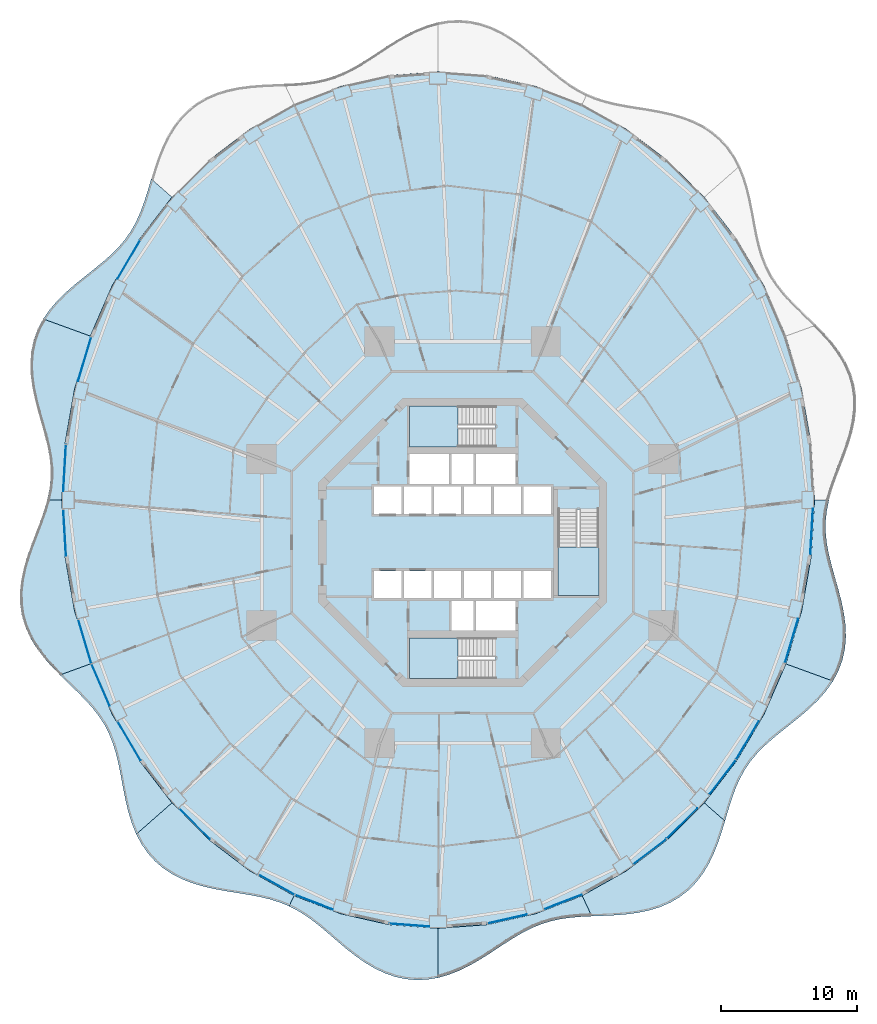
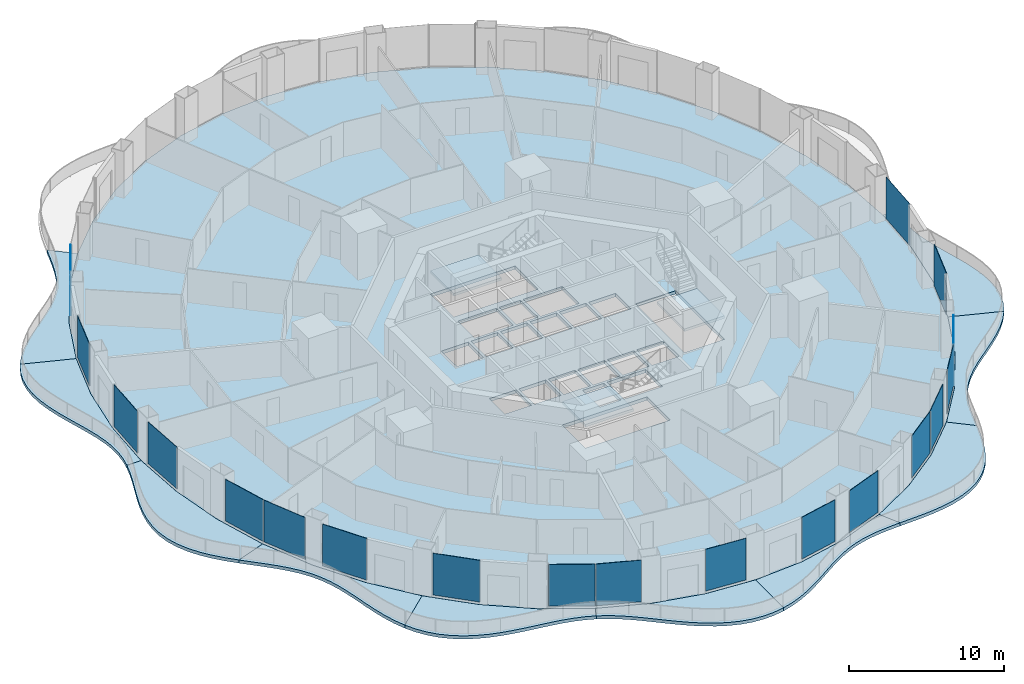
# One storey, part 12 of 22: 19 plates, 14 slabs, 22 elements without a shape of their own.
"""IFC4 building model written with IfcOpenShell, lengths in metres."""

from ifc_helpers import new_model, si_unit, direction, frame, origin, origin_2d, place, context, subcontext, project, spatial, polyline, rectangle, outline, extrude, material, layer, layer_set, type_object, element, aggregate, save


model = new_model("IFC4")

# Units and contexts
model_context = context("Model", 3, precision=1e-05, world=origin(), true_north=direction((0.0, 1.0)))
body_context = subcontext(model_context, "Body", "Model", "MODEL_VIEW")
ifc_project = project(units=[si_unit("LENGTHUNIT", "METRE"), si_unit("AREAUNIT", "SQUARE_METRE"), si_unit("VOLUMEUNIT", "CUBIC_METRE"), si_unit("PLANEANGLEUNIT", "RADIAN"), si_unit("MASSUNIT", "GRAM", prefix="KILO")], contexts=[model_context])

# Site, building, storey
site_placement = place(None, origin())
site = spatial("IfcSite", under=ifc_project, at=site_placement, CompositionType="ELEMENT")
building_placement = place(site_placement, origin())
building = spatial("IfcBuilding", under=site, at=building_placement, Name="Nagisa Residences", CompositionType="ELEMENT")
storey_placement = place(building_placement, frame((0.0, 0.0, 77.0)))
storey = spatial("IfcBuildingStorey", under=building, at=storey_placement, Name="L18", CompositionType="ELEMENT", Elevation=77.0)

# Slabs
ifc_material_1 = material(Name="Concrete C40/50", Category="concrete")
ifc_layer_1 = layer(ifc_material_1, 0.25)
ifc_layer_set_1 = layer_set([ifc_layer_1], Name="BALCONY SLAB 250")
slab_type_1 = type_object("IfcSlabType", Name="BALCONY SLAB 250", PredefinedType="FLOOR", material=ifc_layer_set_1)
slab_1_placement = place(storey_placement, frame((0.0, 0.0, -0.25)))
element("IfcSlab", 1, at=slab_1_placement, inside=storey, type_object=slab_type_1, Name="slab:L18:bal06", PredefinedType="FLOOR", context=body_context, shape_type="SweptSolid", body=[
    extrude(outline(polyline([(-22.90380859375, 26.73828125), (-23.149658203125, 25.9072265625), (-23.40283203125, 25.10400390625), (-23.68115234375, 24.338623046875), (-24.000244140625, 23.617431640625), (-24.373046875, 22.9423828125), (-24.807373046875, 22.311767578125), (-25.305908203125, 21.7197265625), (-25.86669921875, 21.157958984375), (-26.4814453125, 20.61572265625), (-27.137451171875, 20.081298828125), (-27.81787109375, 19.54248046875), (-28.502685546875, 18.9873046875), (-29.169921875, 18.40625), (-29.797607421875, 17.790771484375), (-30.3642578125, 17.135986328125), (-30.85205078125, 16.439208984375), (-27.386962890625, 15.177978515625), (-25.78466796875, 18.875244140625), (-23.77197265625, 22.302734375), (-21.38330078125, 25.402099609375), (-22.90380859375, 26.73828125)])), origin(), (0.0, 0.0, 1.0), 0.25),
])
slab_2_placement = place(storey_placement, frame((0.0, 0.0, -0.25)))
element("IfcSlab", 2, at=slab_2_placement, inside=storey, type_object=slab_type_1, Name="slab:L18:bal07", PredefinedType="FLOOR", context=body_context, shape_type="SweptSolid", body=[
    extrude(outline(polyline([(-30.85205078125, 16.439208984375), (-31.257080078125, 15.677001953125), (-31.5517578125, 14.8740234375), (-31.732177734375, 14.03662109375), (-31.801025390625, 13.172607421875), (-31.767578125, 12.291259765625), (-31.64697265625, 11.402099609375), (-31.459716796875, 10.513671875), (-31.229736328125, 9.6337890625), (-30.98291015625, 8.76806640625), (-30.7451171875, 7.920166015625), (-30.540771484375, 7.0908203125), (-30.390625, 6.27880859375), (-30.31103515625, 5.480712890625), (-30.3115234375, 4.69189453125), (-30.3955078125, 3.90625), (-30.559326171875, 3.11767578125), (-29.4951171875, 3.11767578125), (-29.258056640625, 7.231201171875), (-28.55126953125, 11.2744140625), (-27.386962890625, 15.177978515625), (-30.85205078125, 16.439208984375)])), origin(), (0.0, 0.0, 1.0), 0.25),
])
slab_3_placement = place(storey_placement, frame((0.0, 0.0, -0.25)))
element("IfcSlab", 3, at=slab_3_placement, inside=storey, type_object=slab_type_1, Name="slab:L18:bal08", PredefinedType="FLOOR", context=body_context, shape_type="SweptSolid", body=[
    extrude(outline(polyline([(-30.559326171875, 3.11767578125), (-30.7919921875, 2.320556640625), (-31.077392578125, 1.5107421875), (-31.393798828125, 0.684814453125), (-31.716796875, -0.157470703125), (-32.02001953125, -1.014892578125), (-32.277099609375, -1.88330078125), (-32.464599609375, -2.757568359375), (-32.561767578125, -3.630126953125), (-32.5537109375, -4.4931640625), (-32.431396484375, -5.338623046875), (-32.192626953125, -6.158935546875), (-31.842041015625, -6.947998046875), (-31.390869140625, -7.702392578125), (-30.85595703125, -8.420166015625), (-30.25830078125, -9.103271484375), (-29.6220703125, -9.756103515625), (-27.386962890625, -8.942626953125), (-28.55126953125, -5.0390625), (-29.258056640625, -0.995849609375), (-29.4951171875, 3.11767578125), (-30.559326171875, 3.11767578125)])), origin(), (0.0, 0.0, 1.0), 0.25),
])
slab_4_placement = place(storey_placement, frame((0.0, 0.0, -0.25)))
element("IfcSlab", 4, at=slab_4_placement, inside=storey, type_object=slab_type_1, Name="slab:L18:bal09", PredefinedType="FLOOR", context=body_context, shape_type="SweptSolid", body=[
    extrude(outline(polyline([(-29.6220703125, -9.756103515625), (-28.992431640625, -10.366943359375), (-28.37255859375, -10.964599609375), (-27.78271484375, -11.55908203125), (-27.239990234375, -12.1611328125), (-26.756591796875, -12.78076171875), (-26.340087890625, -13.427734375), (-25.991943359375, -14.109130859375), (-25.7080078125, -14.829833984375), (-25.479736328125, -15.59130859375), (-25.292724609375, -16.391357421875), (-25.13037109375, -17.224365234375), (-24.972900390625, -18.0810546875), (-24.800048828125, -18.94921875), (-24.592529296875, -19.814453125), (-24.332275390625, -20.66015625), (-24.004638671875, -21.470458984375), (-21.38330078125, -19.166748046875), (-23.77197265625, -16.0673828125), (-25.78466796875, -12.639892578125), (-27.386962890625, -8.942626953125), (-29.6220703125, -9.756103515625)])), origin(), (0.0, 0.0, 1.0), 0.25),
])
slab_5_placement = place(storey_placement, frame((0.0, 0.0, -0.25)))
element("IfcSlab", 5, at=slab_5_placement, inside=storey, type_object=slab_type_1, Name="slab:L18:bal10", PredefinedType="FLOOR", context=body_context, shape_type="SweptSolid", body=[
    extrude(outline(polyline([(-24.004638671875, -21.470458984375), (-23.6201171875, -22.195068359375), (-23.1591796875, -22.861328125), (-22.62109375, -23.459228515625), (-22.008544921875, -23.982421875), (-21.328125, -24.428466796875), (-20.58984375, -24.7978515625), (-19.8056640625, -25.09619140625), (-18.98974609375, -25.332275390625), (-18.156005859375, -25.5185546875), (-17.31884765625, -25.669677734375), (-16.490966796875, -25.802734375), (-15.682861328125, -25.934814453125), (-14.902587890625, -26.083251953125), (-14.155029296875, -26.263427734375), (-13.441650390625, -26.48828125), (-12.760986328125, -26.767333984375), (-12.3984375, -25.998291015625), (-15.6474609375, -24.175048828125), (-18.65966796875, -21.884765625), (-21.38330078125, -19.166748046875), (-24.004638671875, -21.470458984375)])), origin(), (0.0, 0.0, 1.0), 0.25),
])
slab_6_placement = place(storey_placement, frame((0.0, 0.0, -0.25)))
element("IfcSlab", 6, at=slab_6_placement, inside=storey, type_object=slab_type_1, Name="slab:L18:bal11", PredefinedType="FLOOR", context=body_context, shape_type="SweptSolid", body=[
    extrude(outline(polyline([(-12.760986328125, -26.767333984375), (-12.13134765625, -27.092529296875), (-11.521728515625, -27.473388671875), (-10.924560546875, -27.906005859375), (-10.331298828125, -28.3828125), (-9.733642578125, -28.892333984375), (-9.12353515625, -29.41943359375), (-8.493896484375, -29.947509765625), (-7.840087890625, -30.45751953125), (-7.15869140625, -30.93115234375), (-6.448974609375, -31.35009765625), (-5.71240234375, -31.697998046875), (-4.95263671875, -31.961181640625), (-4.174560546875, -32.1298828125), (-3.384765625, -32.197998046875), (-2.5908203125, -32.164794921875), (-1.800048828125, -32.032958984375), (-1.800048828125, -28.397216796875), (-5.4150390625, -28.127685546875), (-8.968017578125, -27.323486328125), (-12.3984375, -25.998291015625), (-12.760986328125, -26.767333984375)])), origin(), (0.0, 0.0, 1.0), 0.25),
])
slab_7_placement = place(storey_placement, frame((0.0, 0.0, -0.25)))
element("IfcSlab", 7, at=slab_7_placement, inside=storey, type_object=slab_type_1, Name="slab:L18:bal12", PredefinedType="FLOOR", context=body_context, shape_type="SweptSolid", body=[
    extrude(outline(polyline([(-1.800048828125, -32.032958984375), (-1.01904296875, -31.81103515625), (-0.25390625, -31.51025390625), (0.491455078125, -31.14599609375), (1.21435546875, -30.73583984375), (1.914794921875, -30.29833984375), (2.5947265625, -29.852783203125), (3.258056640625, -29.41748046875), (3.91015625, -29.0087890625), (4.55810546875, -28.640380859375), (5.209228515625, -28.322021484375), (5.87060546875, -28.06005859375), (6.548828125, -27.85595703125), (7.24951171875, -27.70703125), (7.975830078125, -27.60595703125), (8.729248046875, -27.542724609375), (9.508056640625, -27.50390625), (8.79833984375, -25.998291015625), (5.367919921875, -27.323486328125), (1.81494140625, -28.127685546875), (-1.800048828125, -28.397216796875), (-1.800048828125, -32.032958984375)])), origin(), (0.0, 0.0, 1.0), 0.25),
])
slab_8_placement = place(storey_placement, frame((0.0, 0.0, -0.25)))
element("IfcSlab", 8, at=slab_8_placement, inside=storey, type_object=slab_type_1, Name="slab:L18:bal13", PredefinedType="FLOOR", context=body_context, shape_type="SweptSolid", body=[
    extrude(outline(polyline([(9.508056640625, -27.50390625), (10.3388671875, -27.47265625), (11.185791015625, -27.43212890625), (12.0390625, -27.3642578125), (12.886962890625, -27.251220703125), (13.717041015625, -27.077880859375), (14.515625, -26.83203125), (15.270751953125, -26.50537109375), (15.971435546875, -26.09375), (16.609130859375, -25.596923828125), (17.177978515625, -25.019775390625), (17.676513671875, -24.37060546875), (18.1064453125, -23.66015625), (18.473388671875, -22.90283203125), (18.78662109375, -22.11376953125), (19.05859375, -21.308837890625), (19.3037109375, -20.5029296875), (17.783203125, -19.166748046875), (15.0595703125, -21.884765625), (12.047607421875, -24.175048828125), (8.79833984375, -25.998291015625), (9.508056640625, -27.50390625)])), origin(), (0.0, 0.0, 1.0), 0.25),
])
slab_9_placement = place(storey_placement, frame((0.0, 0.0, -0.25)))
element("IfcSlab", 9, at=slab_9_placement, inside=storey, type_object=slab_type_1, Name="slab:L18:bal14", PredefinedType="FLOOR", context=body_context, shape_type="SweptSolid", body=[
    extrude(outline(polyline([(19.3037109375, -20.5029296875), (19.549560546875, -19.671875), (19.802734375, -18.86865234375), (20.0810546875, -18.103271484375), (20.400390625, -17.382080078125), (20.773193359375, -16.70703125), (21.207275390625, -16.076416015625), (21.7060546875, -15.484375), (22.2666015625, -14.922607421875), (22.88134765625, -14.38037109375), (23.537353515625, -13.845947265625), (24.218017578125, -13.306884765625), (24.902587890625, -12.751953125), (25.570068359375, -12.1708984375), (26.197509765625, -11.555419921875), (26.764404296875, -10.900634765625), (27.252197265625, -10.203857421875), (23.786865234375, -8.942626953125), (22.1845703125, -12.639892578125), (20.171875, -16.0673828125), (17.783203125, -19.166748046875), (19.3037109375, -20.5029296875)])), origin(), (0.0, 0.0, 1.0), 0.25),
])
slab_10_placement = place(storey_placement, frame((0.0, 0.0, -0.25)))
element("IfcSlab", 10, at=slab_10_placement, inside=storey, type_object=slab_type_1, Name="slab:L18:bal15", PredefinedType="FLOOR", context=body_context, shape_type="SweptSolid", body=[
    extrude(outline(polyline([(27.252197265625, -10.203857421875), (27.656982421875, -9.441650390625), (27.95166015625, -8.638671875), (28.13232421875, -7.80126953125), (28.200927734375, -6.937255859375), (28.16748046875, -6.055908203125), (28.046875, -5.16650390625), (27.85986328125, -4.2783203125), (27.629638671875, -3.3984375), (27.3828125, -2.53271484375), (27.14501953125, -1.6845703125), (26.940673828125, -0.855224609375), (26.790771484375, -0.043212890625), (26.7109375, 0.754638671875), (26.711669921875, 1.54345703125), (26.795654296875, 2.3291015625), (26.959228515625, 3.11767578125), (25.89501953125, 3.11767578125), (25.657958984375, -0.995849609375), (24.951416015625, -5.0390625), (23.786865234375, -8.942626953125), (27.252197265625, -10.203857421875)])), origin(), (0.0, 0.0, 1.0), 0.25),
])

# Curtain wall, plate
ifc_material_2 = material(Name="Concrete-coloured aluminium curtain wall system", Category="concrete")
ifc_layer_2 = layer(ifc_material_2, 0.159912109375)
ifc_layer_set_2 = layer_set([ifc_layer_2], Name="CW1 CURTAIN WALL")
curtain_wall_type = type_object("IfcCurtainWallType", Name="CW1 CURTAIN WALL", PredefinedType="NOTDEFINED", material=ifc_layer_set_2)
curtain_wall_1_placement = place(storey_placement, origin())
curtain_wall_1 = element("IfcCurtainWall", 11, at=curtain_wall_1_placement, inside=storey, type_object=curtain_wall_type, Name="cw:CW1:L18:19", PredefinedType="NOTDEFINED")
ifc_material_3 = material(Name="Clear laminated glass", Category="glass")
ifc_layer_3 = layer(ifc_material_3, 0.028076171875)
ifc_layer_set_3 = layer_set([ifc_layer_3], Name="CW1 GLASS PANEL")
plate_type = type_object("IfcPlateType", Name="CW1 GLASS PANEL", PredefinedType="CURTAIN_PANEL", material=ifc_layer_set_3)
plate_1_placement = place(storey_placement, frame((-24.559814453125, 20.802978515625, 0.14990234375), z_axis=(0.0, 0.0, 1.0), x_axis=(-0.506348567002, -0.862328898214, 0.0)))
plate_1 = element("IfcPlate", 12, at=plate_1_placement, type_object=plate_type, Name="CW1 panel", PredefinedType="CURTAIN_PANEL", context=body_context, shape_type="SweptSolid", body=[
    extrude(rectangle(XDim=3.264892578125, YDim=0.028076171875, at=origin_2d()), origin(), (0.0, 0.0, 1.0), 3.2900390625),
])
aggregate(curtain_wall_1, [plate_1])

curtain_wall_2_placement = place(storey_placement, origin())
curtain_wall_2 = element("IfcCurtainWall", 13, at=curtain_wall_2_placement, inside=storey, type_object=curtain_wall_type, Name="cw:CW1:L18:21", PredefinedType="NOTDEFINED")
plate_2_placement = place(storey_placement, frame((-27.80810546875, 13.486083984375, 0.14990234375), z_axis=(0.0, 0.0, 1.0), x_axis=(-0.285860274038, -0.958271310082, 0.0)))
plate_2 = element("IfcPlate", 14, at=plate_2_placement, type_object=plate_type, Name="CW1 panel", PredefinedType="CURTAIN_PANEL", context=body_context, shape_type="SweptSolid", body=[
    extrude(rectangle(XDim=3.363525390625, YDim=0.028076171875, at=origin_2d()), origin(), (0.0, 0.0, 1.0), 3.2900390625),
])
aggregate(curtain_wall_2, [plate_2])

curtain_wall_3_placement = place(storey_placement, origin())
curtain_wall_3 = element("IfcCurtainWall", 15, at=curtain_wall_3_placement, inside=storey, type_object=curtain_wall_type, Name="cw:CW1:L18:23", PredefinedType="NOTDEFINED")
plate_3_placement = place(storey_placement, frame((-29.27978515625, 5.46435546875, 0.14990234375), z_axis=(0.0, 0.0, 1.0), x_axis=(-0.057503492216, -0.998345305184, 0.0)))
plate_3 = element("IfcPlate", 16, at=plate_3_placement, type_object=plate_type, Name="CW1 panel", PredefinedType="CURTAIN_PANEL", context=body_context, shape_type="SweptSolid", body=[
    extrude(rectangle(XDim=3.410400390625, YDim=0.028076171875, at=origin_2d()), origin(), (0.0, 0.0, 1.0), 3.2900390625),
])
aggregate(curtain_wall_3, [plate_3])

curtain_wall_4_placement = place(storey_placement, origin())
curtain_wall_4 = element("IfcCurtainWall", 17, at=curtain_wall_4_placement, inside=storey, type_object=curtain_wall_type, Name="cw:CW1:L18:24", PredefinedType="NOTDEFINED")
plate_4_placement = place(storey_placement, frame((-29.2763671875, 0.711181640625, 0.14990234375), z_axis=(0.0, 0.0, 1.0), x_axis=(0.057503492216, -0.998345305184, 0.0)))
plate_4 = element("IfcPlate", 18, at=plate_4_placement, type_object=plate_type, Name="CW1 panel", PredefinedType="CURTAIN_PANEL", context=body_context, shape_type="SweptSolid", body=[
    extrude(rectangle(XDim=3.410400390625, YDim=0.028076171875, at=origin_2d()), origin(), (0.0, 0.0, 1.0), 3.2900390625),
])
aggregate(curtain_wall_4, [plate_4])

curtain_wall_5_placement = place(storey_placement, origin())
curtain_wall_5 = element("IfcCurtainWall", 19, at=curtain_wall_5_placement, inside=storey, type_object=curtain_wall_type, Name="cw:CW1:L18:26", PredefinedType="NOTDEFINED")
plate_5_placement = place(storey_placement, frame((-27.791015625, -7.30810546875, 0.14990234375), z_axis=(0.0, 0.0, 1.0), x_axis=(0.285860274038, -0.958271310082, 0.0)))
plate_5 = element("IfcPlate", 20, at=plate_5_placement, type_object=plate_type, Name="CW1 panel", PredefinedType="CURTAIN_PANEL", context=body_context, shape_type="SweptSolid", body=[
    extrude(rectangle(XDim=3.363525390625, YDim=0.028076171875, at=origin_2d()), origin(), (0.0, 0.0, 1.0), 3.2900390625),
])
aggregate(curtain_wall_5, [plate_5])

curtain_wall_6_placement = place(storey_placement, origin())
curtain_wall_6 = element("IfcCurtainWall", 21, at=curtain_wall_6_placement, inside=storey, type_object=curtain_wall_type, Name="cw:CW1:L18:27", PredefinedType="NOTDEFINED")
plate_6_placement = place(storey_placement, frame((-26.629638671875, -10.48876953125, 0.14990234375), z_axis=(0.0, 0.0, 1.0), x_axis=(0.397635934147, -0.917543276295, 0.0)))
plate_6 = element("IfcPlate", 22, at=plate_6_placement, type_object=plate_type, Name="CW1 panel", PredefinedType="CURTAIN_PANEL", context=body_context, shape_type="SweptSolid", body=[
    extrude(rectangle(XDim=3.319580078125, YDim=0.028076171875, at=origin_2d()), origin(), (0.0, 0.0, 1.0), 3.2900390625),
])
aggregate(curtain_wall_6, [plate_6])

curtain_wall_7_placement = place(storey_placement, origin())
curtain_wall_7 = element("IfcCurtainWall", 23, at=curtain_wall_7_placement, inside=storey, type_object=curtain_wall_type, Name="cw:CW1:L18:28", PredefinedType="NOTDEFINED")
plate_7_placement = place(storey_placement, frame((-24.529541015625, -14.619140625, 0.14990234375), z_axis=(0.0, 0.0, 1.0), x_axis=(0.506348567002, -0.862328898214, 0.0)))
plate_7 = element("IfcPlate", 24, at=plate_7_placement, type_object=plate_type, Name="CW1 panel", PredefinedType="CURTAIN_PANEL", context=body_context, shape_type="SweptSolid", body=[
    extrude(rectangle(XDim=3.264892578125, YDim=0.028076171875, at=origin_2d()), origin(), (0.0, 0.0, 1.0), 3.2900390625),
])
aggregate(curtain_wall_7, [plate_7])

curtain_wall_8_placement = place(storey_placement, origin())
curtain_wall_8 = element("IfcCurtainWall", 25, at=curtain_wall_8_placement, inside=storey, type_object=curtain_wall_type, Name="cw:CW1:L18:30", PredefinedType="NOTDEFINED")
plate_8_placement = place(storey_placement, frame((-19.713623046875, -20.719970703125, 0.14990234375), z_axis=(0.0, 0.0, 1.0), x_axis=(0.707835924016, -0.706376885714, 0.0)))
plate_8 = element("IfcPlate", 26, at=plate_8_placement, type_object=plate_type, Name="CW1 panel", PredefinedType="CURTAIN_PANEL", context=body_context, shape_type="SweptSolid", body=[
    extrude(rectangle(XDim=3.137939453125, YDim=0.028076171875, at=origin_2d()), origin(), (0.0, 0.0, 1.0), 3.2900390625),
])
aggregate(curtain_wall_8, [plate_8])

curtain_wall_9_placement = place(storey_placement, origin())
curtain_wall_9 = element("IfcCurtainWall", 27, at=curtain_wall_9_placement, inside=storey, type_object=curtain_wall_type, Name="cw:CW1:L18:32", PredefinedType="NOTDEFINED")
plate_9_placement = place(storey_placement, frame((-13.67431640625, -25.190673828125, 0.14990234375), z_axis=(0.0, 0.0, 1.0), x_axis=(0.872072377523, -0.489376918501, 0.0)))
plate_9 = element("IfcPlate", 28, at=plate_9_placement, type_object=plate_type, Name="CW1 panel", PredefinedType="CURTAIN_PANEL", context=body_context, shape_type="SweptSolid", body=[
    extrude(rectangle(XDim=3.015625, YDim=0.028076171875, at=origin_2d()), origin(), (0.0, 0.0, 1.0), 3.2900390625),
])
aggregate(curtain_wall_9, [plate_9])

curtain_wall_10_placement = place(storey_placement, origin())
curtain_wall_10 = element("IfcCurtainWall", 29, at=curtain_wall_10_placement, inside=storey, type_object=curtain_wall_type, Name="cw:CW1:L18:33", PredefinedType="NOTDEFINED")
plate_10_placement = place(storey_placement, frame((-10.929443359375, -26.47998046875, 0.14990234375), z_axis=(0.0, 0.0, 1.0), x_axis=(0.932825759707, -0.360327770268, 0.0)))
plate_10 = element("IfcPlate", 30, at=plate_10_placement, type_object=plate_type, Name="CW1 panel", PredefinedType="CURTAIN_PANEL", context=body_context, shape_type="SweptSolid", body=[
    extrude(rectangle(XDim=2.967529296875, YDim=0.028076171875, at=origin_2d()), origin(), (0.0, 0.0, 1.0), 3.2900390625),
])
aggregate(curtain_wall_10, [plate_10])

curtain_wall_11_placement = place(storey_placement, origin())
curtain_wall_11 = element("IfcCurtainWall", 31, at=curtain_wall_11_placement, inside=storey, type_object=curtain_wall_type, Name="cw:CW1:L18:35", PredefinedType="NOTDEFINED")
plate_11_placement = place(storey_placement, frame((-3.895751953125, -28.160888671875, 0.14990234375), z_axis=(0.0, 0.0, 1.0), x_axis=(0.997230168512, -0.074377355493, 0.0)))
plate_11 = element("IfcPlate", 32, at=plate_11_placement, type_object=plate_type, Name="CW1 panel", PredefinedType="CURTAIN_PANEL", context=body_context, shape_type="SweptSolid", body=[
    extrude(rectangle(XDim=2.9150390625, YDim=0.028076171875, at=origin_2d()), origin(), (0.0, 0.0, 1.0), 3.2900390625),
])
aggregate(curtain_wall_11, [plate_11])

curtain_wall_12_placement = place(storey_placement, origin())
curtain_wall_12 = element("IfcCurtainWall", 33, at=curtain_wall_12_placement, inside=storey, type_object=curtain_wall_type, Name="cw:CW1:L18:37", PredefinedType="NOTDEFINED")
plate_12_placement = place(storey_placement, frame((3.2861328125, -27.712646484375, 0.14990234375), z_axis=(0.0, 0.0, 1.0), x_axis=(0.975327274089, 0.2207639201, 0.0)))
plate_12 = element("IfcPlate", 34, at=plate_12_placement, type_object=plate_type, Name="CW1 panel", PredefinedType="CURTAIN_PANEL", context=body_context, shape_type="SweptSolid", body=[
    extrude(rectangle(XDim=2.932861328125, YDim=0.028076171875, at=origin_2d()), origin(), (0.0, 0.0, 1.0), 3.2900390625),
])
aggregate(curtain_wall_12, [plate_12])

curtain_wall_13_placement = place(storey_placement, origin())
curtain_wall_13 = element("IfcCurtainWall", 35, at=curtain_wall_13_placement, inside=storey, type_object=curtain_wall_type, Name="cw:CW1:L18:38", PredefinedType="NOTDEFINED")
plate_13_placement = place(storey_placement, frame((7.385498046875, -26.45849609375, 0.14990234375), z_axis=(0.0, 0.0, 1.0), x_axis=(0.932825759707, 0.360327770268, 0.0)))
plate_13 = element("IfcPlate", 36, at=plate_13_placement, type_object=plate_type, Name="CW1 panel", PredefinedType="CURTAIN_PANEL", context=body_context, shape_type="SweptSolid", body=[
    extrude(rectangle(XDim=2.967529296875, YDim=0.028076171875, at=origin_2d()), origin(), (0.0, 0.0, 1.0), 3.2900390625),
])
aggregate(curtain_wall_13, [plate_13])

curtain_wall_14_placement = place(storey_placement, origin())
curtain_wall_14 = element("IfcCurtainWall", 37, at=curtain_wall_14_placement, inside=storey, type_object=curtain_wall_type, Name="cw:CW1:L18:40", PredefinedType="NOTDEFINED")
plate_14_placement = place(storey_placement, frame((13.787841796875, -22.75146484375, 0.14990234375), z_axis=(0.0, 0.0, 1.0), x_axis=(0.79603132756, 0.605255421737, 0.0)))
plate_14 = element("IfcPlate", 38, at=plate_14_placement, type_object=plate_type, Name="CW1 panel", PredefinedType="CURTAIN_PANEL", context=body_context, shape_type="SweptSolid", body=[
    extrude(rectangle(XDim=3.073974609375, YDim=0.028076171875, at=origin_2d()), origin(), (0.0, 0.0, 1.0), 3.2900390625),
])
aggregate(curtain_wall_14, [plate_14])

curtain_wall_15_placement = place(storey_placement, origin())
curtain_wall_15 = element("IfcCurtainWall", 39, at=curtain_wall_15_placement, inside=storey, type_object=curtain_wall_type, Name="cw:CW1:L18:41", PredefinedType="NOTDEFINED")
plate_15_placement = place(storey_placement, frame((16.15625, -20.677490234375, 0.14990234375), z_axis=(0.0, 0.0, 1.0), x_axis=(0.707835924016, 0.706376885714, 0.0)))
plate_15 = element("IfcPlate", 40, at=plate_15_placement, type_object=plate_type, Name="CW1 panel", PredefinedType="CURTAIN_PANEL", context=body_context, shape_type="SweptSolid", body=[
    extrude(rectangle(XDim=3.137939453125, YDim=0.028076171875, at=origin_2d()), origin(), (0.0, 0.0, 1.0), 3.2900390625),
])
aggregate(curtain_wall_15, [plate_15])

curtain_wall_16_placement = place(storey_placement, origin())
curtain_wall_16 = element("IfcCurtainWall", 41, at=curtain_wall_16_placement, inside=storey, type_object=curtain_wall_type, Name="cw:CW1:L18:42", PredefinedType="NOTDEFINED")
plate_16_placement = place(storey_placement, frame((19.130859375, -17.287109375, 0.14990234375), z_axis=(0.0, 0.0, 1.0), x_axis=(0.610429828235, 0.792070340816, 0.0)))
plate_16 = element("IfcPlate", 42, at=plate_16_placement, type_object=plate_type, Name="CW1 panel", PredefinedType="CURTAIN_PANEL", context=body_context, shape_type="SweptSolid", body=[
    extrude(rectangle(XDim=3.202880859375, YDim=0.028076171875, at=origin_2d()), origin(), (0.0, 0.0, 1.0), 3.2900390625),
])
aggregate(curtain_wall_16, [plate_16])

curtain_wall_17_placement = place(storey_placement, origin())
curtain_wall_17 = element("IfcCurtainWall", 43, at=curtain_wall_17_placement, inside=storey, type_object=curtain_wall_type, Name="cw:CW1:L18:43", PredefinedType="NOTDEFINED")
plate_17_placement = place(storey_placement, frame((20.9599609375, -14.5673828125, 0.14990234375), z_axis=(0.0, 0.0, 1.0), x_axis=(0.506348567002, 0.862328898214, 0.0)))
plate_17 = element("IfcPlate", 44, at=plate_17_placement, type_object=plate_type, Name="CW1 panel", PredefinedType="CURTAIN_PANEL", context=body_context, shape_type="SweptSolid", body=[
    extrude(rectangle(XDim=3.264892578125, YDim=0.028076171875, at=origin_2d()), origin(), (0.0, 0.0, 1.0), 3.2900390625),
])
aggregate(curtain_wall_17, [plate_17])

curtain_wall_18_placement = place(storey_placement, origin())
curtain_wall_18 = element("IfcCurtainWall", 45, at=curtain_wall_18_placement, inside=storey, type_object=curtain_wall_type, Name="cw:CW1:L18:45", PredefinedType="NOTDEFINED")
plate_18_placement = place(storey_placement, frame((24.2080078125, -7.25048828125, 0.14990234375), z_axis=(0.0, 0.0, 1.0), x_axis=(0.285860274038, 0.958271310082, 0.0)))
plate_18 = element("IfcPlate", 46, at=plate_18_placement, type_object=plate_type, Name="CW1 panel", PredefinedType="CURTAIN_PANEL", context=body_context, shape_type="SweptSolid", body=[
    extrude(rectangle(XDim=3.363525390625, YDim=0.028076171875, at=origin_2d()), origin(), (0.0, 0.0, 1.0), 3.2900390625),
])
aggregate(curtain_wall_18, [plate_18])

curtain_wall_19_placement = place(storey_placement, origin())
curtain_wall_19 = element("IfcCurtainWall", 47, at=curtain_wall_19_placement, inside=storey, type_object=curtain_wall_type, Name="cw:CW1:L18:47", PredefinedType="NOTDEFINED")
plate_19_placement = place(storey_placement, frame((25.6796875, 0.77099609375, 0.14990234375), z_axis=(0.0, 0.0, 1.0), x_axis=(0.057503492216, 0.998345305184, 0.0)))
plate_19 = element("IfcPlate", 48, at=plate_19_placement, type_object=plate_type, Name="CW1 panel", PredefinedType="CURTAIN_PANEL", context=body_context, shape_type="SweptSolid", body=[
    extrude(rectangle(XDim=3.410400390625, YDim=0.028076171875, at=origin_2d()), origin(), (0.0, 0.0, 1.0), 3.2900390625),
])
aggregate(curtain_wall_19, [plate_19])

# Slab
ifc_material_4 = material(Name="Concrete C40", Category="concrete")
ifc_layer_4 = layer(ifc_material_4, 0.260009765625)
ifc_layer_set_4 = layer_set([ifc_layer_4], Name="Floor slab 260")
slab_type_2 = type_object("IfcSlabType", Name="Floor slab 260", PredefinedType="FLOOR", material=ifc_layer_set_4)
slab_11_placement = place(storey_placement, frame((0.0, 0.0, -0.260009765625)))
element("IfcSlab", 49, at=slab_11_placement, inside=storey, type_object=slab_type_2, Name="slab:L18:floor", PredefinedType="FLOOR", context=body_context, shape_type="SweptSolid", body=[
    extrude(outline(polyline([(25.89501953125, 3.11767578125), (25.657958984375, 7.231201171875), (24.951416015625, 11.2744140625), (23.786865234375, 15.177978515625), (22.1845703125, 18.875244140625), (20.171875, 22.302734375), (17.783203125, 25.402099609375), (15.0595703125, 28.1201171875), (12.047607421875, 30.410400390625), (8.79833984375, 32.233642578125), (5.367919921875, 33.558837890625), (1.81494140625, 34.363037109375), (-1.800048828125, 34.6328125), (-5.4150390625, 34.363037109375), (-8.968017578125, 33.558837890625), (-12.3984375, 32.233642578125), (-15.6474609375, 30.410400390625), (-18.65966796875, 28.1201171875), (-21.38330078125, 25.402099609375), (-23.77197265625, 22.302734375), (-25.78466796875, 18.875244140625), (-27.386962890625, 15.177978515625), (-28.55126953125, 11.2744140625), (-29.258056640625, 7.231201171875), (-29.4951171875, 3.11767578125), (-29.258056640625, -0.995849609375), (-28.55126953125, -5.0390625), (-27.386962890625, -8.942626953125), (-25.78466796875, -12.639892578125), (-23.77197265625, -16.0673828125), (-21.38330078125, -19.166748046875), (-18.65966796875, -21.884765625), (-15.6474609375, -24.175048828125), (-12.3984375, -25.998291015625), (-8.968017578125, -27.323486328125), (-5.4150390625, -28.127685546875), (-1.800048828125, -28.397216796875), (1.81494140625, -28.127685546875), (5.367919921875, -27.323486328125), (8.79833984375, -25.998291015625), (12.047607421875, -24.175048828125), (15.0595703125, -21.884765625), (17.783203125, -19.166748046875), (20.171875, -16.0673828125), (22.1845703125, -12.639892578125), (23.786865234375, -8.942626953125), (24.951416015625, -5.0390625), (25.657958984375, -0.995849609375), (25.89501953125, 3.11767578125)]), holes=[polyline([(-4.5, 2.10009765625), (-4.5, 4.10009765625), (-6.5, 4.10009765625), (-6.5, 2.10009765625), (-4.5, 2.10009765625)]), polyline([(-2.300048828125, 2.10009765625), (-2.300048828125, 4.10009765625), (-4.300048828125, 4.10009765625), (-4.300048828125, 2.10009765625), (-2.300048828125, 2.10009765625)]), polyline([(-0.10009765625, 2.10009765625), (-0.10009765625, 4.10009765625), (-2.10009765625, 4.10009765625), (-2.10009765625, 2.10009765625), (-0.10009765625, 2.10009765625)]), polyline([(2.10009765625, 2.10009765625), (2.10009765625, 4.10009765625), (0.10009765625, 4.10009765625), (0.10009765625, 2.10009765625), (2.10009765625, 2.10009765625)]), polyline([(4.300048828125, 2.10009765625), (4.300048828125, 4.10009765625), (2.300048828125, 4.10009765625), (2.300048828125, 2.10009765625), (4.300048828125, 2.10009765625)]), polyline([(6.5, 2.10009765625), (6.5, 4.10009765625), (4.5, 4.10009765625), (4.5, 2.10009765625), (6.5, 2.10009765625)]), polyline([(-4.5, -4.10009765625), (-4.5, -2.10009765625), (-6.5, -2.10009765625), (-6.5, -4.10009765625), (-4.5, -4.10009765625)]), polyline([(-2.300048828125, -4.10009765625), (-2.300048828125, -2.10009765625), (-4.300048828125, -2.10009765625), (-4.300048828125, -4.10009765625), (-2.300048828125, -4.10009765625)]), polyline([(-0.10009765625, -4.10009765625), (-0.10009765625, -2.10009765625), (-2.10009765625, -2.10009765625), (-2.10009765625, -4.10009765625), (-0.10009765625, -4.10009765625)]), polyline([(2.10009765625, -4.10009765625), (2.10009765625, -2.10009765625), (0.10009765625, -2.10009765625), (0.10009765625, -4.10009765625), (2.10009765625, -4.10009765625)]), polyline([(4.300048828125, -4.10009765625), (4.300048828125, -2.10009765625), (2.300048828125, -2.10009765625), (2.300048828125, -4.10009765625), (4.300048828125, -4.10009765625)]), polyline([(6.5, -4.10009765625), (6.5, -2.10009765625), (4.5, -2.10009765625), (4.5, -4.10009765625), (6.5, -4.10009765625)]), polyline([(3.89990234375, 4.300048828125), (3.89990234375, 6.5), (1.0, 6.5), (1.0, 4.300048828125), (3.89990234375, 4.300048828125)]), polyline([(3.89990234375, -6.5), (3.89990234375, -4.300048828125), (1.0, -4.300048828125), (1.0, -6.5), (3.89990234375, -6.5)]), polyline([(-1.0, 4.300048828125), (-1.0, 6.5), (-3.89990234375, 6.5), (-3.89990234375, 4.300048828125), (-1.0, 4.300048828125)]), polyline([(0.800048828125, 4.300048828125), (0.800048828125, 6.5), (-0.800048828125, 6.5), (-0.800048828125, 4.300048828125), (0.800048828125, 4.300048828125)]), polyline([(0.800048828125, -6.5), (0.800048828125, -4.300048828125), (-0.800048828125, -4.300048828125), (-0.800048828125, -6.5), (0.800048828125, -6.5)]), polyline([(10.024658203125, -3.89990234375), (7.024658203125, -3.89990234375), (7.024658203125, 2.425048828125), (10.024658203125, 2.425048828125), (10.024658203125, -3.89990234375)]), polyline([(-3.89990234375, 7.024658203125), (-3.89990234375, 10.024658203125), (2.425048828125, 10.024658203125), (2.425048828125, 7.024658203125), (-3.89990234375, 7.024658203125)]), polyline([(-3.89990234375, -10.024658203125), (-3.89990234375, -7.024658203125), (2.425048828125, -7.024658203125), (2.425048828125, -10.024658203125), (-3.89990234375, -10.024658203125)])]), origin(), (0.0, 0.0, 1.0), 0.260009765625),
])

# Stair, slab
ifc_material_5 = material(Name="Concrete C60", Category="concrete")
stair_type = type_object("IfcStairType", Name="Exit stair", PredefinedType="HALF_TURN_STAIR", material=ifc_material_5)
stair_1_placement = place(storey_placement, origin())
stair_1 = element("IfcStair", 50, at=stair_1_placement, inside=storey, type_object=stair_type, Name="L18 Exit stair E", PredefinedType="HALF_TURN_STAIR")
ifc_material_6 = material(Name="Concrete C60", Category="concrete")
ifc_layer_5 = layer(ifc_material_6, 0.199951171875)
ifc_layer_set_5 = layer_set([ifc_layer_5], Name="Stair landing")
slab_type_3 = type_object("IfcSlabType", Name="Stair landing", PredefinedType="LANDING", material=ifc_layer_set_5)
slab_12_placement = place(storey_placement, frame((0.0, 0.0, 1.64990234375)))
slab_12 = element("IfcSlab", 51, at=slab_12_placement, type_object=slab_type_3, Name="ST-E landing 1", PredefinedType="LANDING", context=body_context, shape_type="SweptSolid", body=[
    extrude(outline(polyline([(7.024658203125, -0.324951171875), (7.024658203125, -3.89990234375), (10.024658203125, -3.89990234375), (10.024658203125, -0.324951171875), (7.024658203125, -0.324951171875)])), origin(), (0.0, 0.0, 1.0), 0.2001953125),
])
aggregate(stair_1, [slab_12])

stair_2_placement = place(storey_placement, origin())
stair_2 = element("IfcStair", 52, at=stair_2_placement, inside=storey, type_object=stair_type, Name="L18 Exit stair N", PredefinedType="HALF_TURN_STAIR")
slab_13_placement = place(storey_placement, frame((0.0, 0.0, 1.64990234375)))
slab_13 = element("IfcSlab", 53, at=slab_13_placement, type_object=slab_type_3, Name="ST-N landing 1", PredefinedType="LANDING", context=body_context, shape_type="SweptSolid", body=[
    extrude(outline(polyline([(-0.324951171875, 10.024658203125), (-3.89990234375, 10.024658203125), (-3.89990234375, 7.024658203125), (-0.324951171875, 7.024658203125), (-0.324951171875, 10.024658203125)])), origin(), (0.0, 0.0, 1.0), 0.2001953125),
])
aggregate(stair_2, [slab_13])

stair_3_placement = place(storey_placement, origin())
stair_3 = element("IfcStair", 54, at=stair_3_placement, inside=storey, type_object=stair_type, Name="L18 Exit stair S", PredefinedType="HALF_TURN_STAIR")
slab_14_placement = place(storey_placement, frame((0.0, 0.0, 1.64990234375)))
slab_14 = element("IfcSlab", 55, at=slab_14_placement, type_object=slab_type_3, Name="ST-S landing 1", PredefinedType="LANDING", context=body_context, shape_type="SweptSolid", body=[
    extrude(outline(polyline([(-0.324951171875, -7.024658203125), (-3.89990234375, -7.024658203125), (-3.89990234375, -10.024658203125), (-0.324951171875, -10.024658203125), (-0.324951171875, -7.024658203125)])), origin(), (0.0, 0.0, 1.0), 0.2001953125),
])
aggregate(stair_3, [slab_14])

save(model, "model.ifc")
